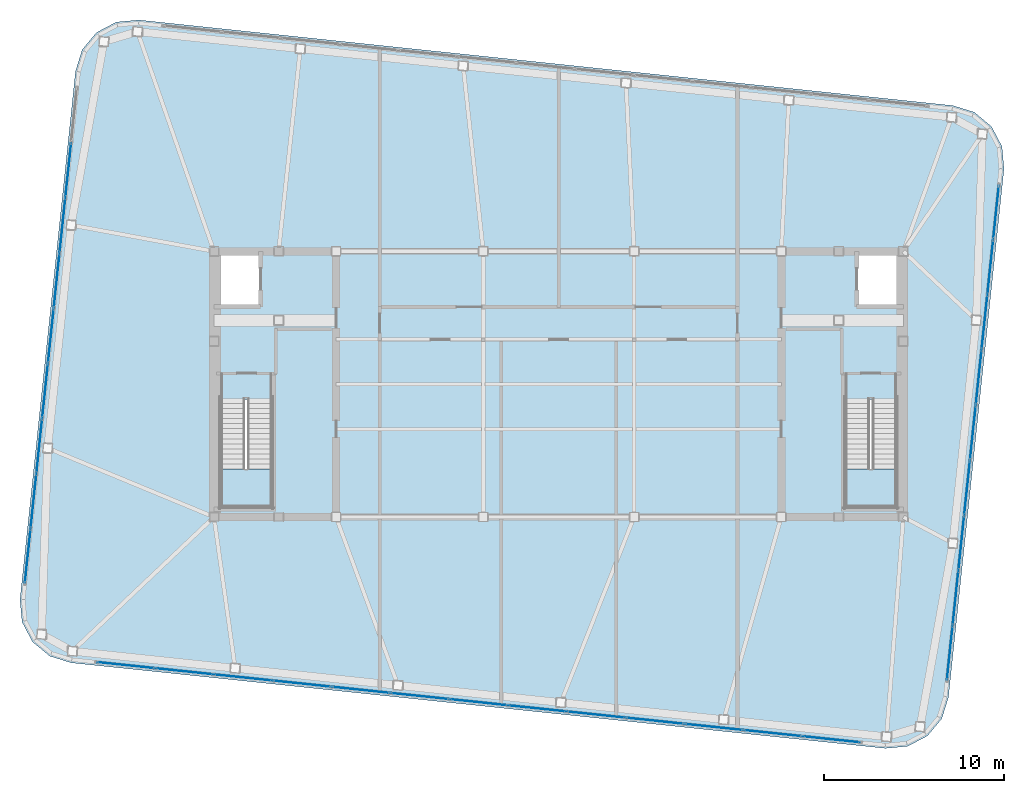
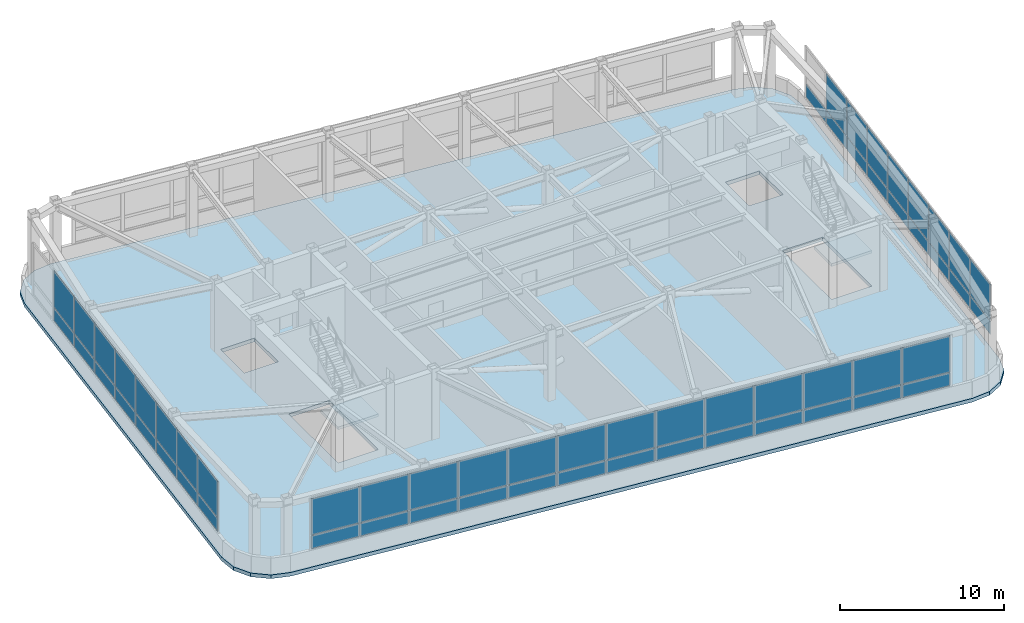
# One storey, part 18 of 23: 59 plates, 3 slabs, 5 elements without a shape of their own.
"""IFC4 building model written with IfcOpenShell, lengths in metres."""

from ifc_helpers import new_model, si_unit, direction, frame, origin, origin_2d, place, context, subcontext, project, spatial, polyline, rectangle, outline, extrude, material, layer, layer_set, type_object, element, aggregate, save


model = new_model("IFC4")

# Units and contexts
model_context = context("Model", 3, precision=1e-05, world=origin(), true_north=direction((0.0, 1.0)))
body_context = subcontext(model_context, "Body", "Model", "MODEL_VIEW")
ifc_project = project(units=[si_unit("LENGTHUNIT", "METRE"), si_unit("AREAUNIT", "SQUARE_METRE"), si_unit("VOLUMEUNIT", "CUBIC_METRE"), si_unit("PLANEANGLEUNIT", "RADIAN"), si_unit("MASSUNIT", "GRAM", prefix="KILO")], contexts=[model_context])

# Site, building, storey
site_placement = place(None, origin())
site = spatial("IfcSite", under=ifc_project, at=site_placement, CompositionType="ELEMENT")
building_placement = place(site_placement, origin())
building = spatial("IfcBuilding", under=site, at=building_placement, Name="Voryun Gate Residences", CompositionType="ELEMENT")
storey_placement = place(building_placement, frame((0.0, 0.0, 331.89990234375)))
storey = spatial("IfcBuildingStorey", under=building, at=storey_placement, Name="L81", CompositionType="ELEMENT", Elevation=331.89990234375)

# Curtain wall, plates
ifc_material_1 = material(Name="Anodised aluminium", Category="aluminium")
ifc_layer_1 = layer(ifc_material_1, 0.22998046875, Name="CW_SYS_LANTERN_DARK_GLASS")
ifc_layer_set_1 = layer_set([ifc_layer_1], Name="Anodised aluminium")
curtain_wall_type = type_object("IfcCurtainWallType", Name="CW_SYS_LANTERN_DARK_GLASS", PredefinedType="NOTDEFINED", material=ifc_layer_set_1)
curtain_wall_1_placement = place(storey_placement, origin())
curtain_wall_1 = element("IfcCurtainWall", 1, at=curtain_wall_1_placement, inside=storey, type_object=curtain_wall_type, Name="Curtain wall CW6-L81-01", PredefinedType="NOTDEFINED")
ifc_material_2 = material(Name="Fritted lantern glass", Category="glass")
ifc_layer_2 = layer(ifc_material_2, 0.050048828125, Name="PLT_GLASS_FRIT_LANTERN")
ifc_layer_set_2 = layer_set([ifc_layer_2], Name="Fritted lantern glass")
plate_type = type_object("IfcPlateType", Name="PLT_GLASS_FRIT_LANTERN", PredefinedType="CURTAIN_PANEL", material=ifc_layer_set_2)
plate_1_placement = place(storey_placement, frame((15.18212890625, -19.787109375, 1.25), z_axis=(0.0, 0.0, 1.0), x_axis=(-0.994521969434, 0.10452775858, 0.0)))
plate_1 = element("IfcPlate", 2, at=plate_1_placement, type_object=plate_type, Name="CW6 panel 1.1", PredefinedType="CURTAIN_PANEL", context=body_context, shape_type="SweptSolid", body=[
    extrude(rectangle(XDim=3.20458984375, YDim=0.028076171875, at=origin_2d()), origin(), (0.0, 0.0, 1.0), 0.9599609375),
])
plate_2_placement = place(storey_placement, frame((15.18212890625, -19.787109375, 2.27001953125), z_axis=(0.0, 0.0, 1.0), x_axis=(-0.994521969434, 0.10452775858, 0.0)))
plate_2 = element("IfcPlate", 3, at=plate_2_placement, type_object=plate_type, Name="CW6 panel 1.2", PredefinedType="CURTAIN_PANEL", context=body_context, shape_type="SweptSolid", body=[
    extrude(rectangle(XDim=3.20458984375, YDim=0.028076171875, at=origin_2d()), origin(), (0.0, 0.0, 1.0), 2.695068359375),
])
plate_3_placement = place(storey_placement, frame((11.92041015625, -19.4443359375, 1.25), z_axis=(0.0, 0.0, 1.0), x_axis=(-0.994521969434, 0.10452775858, 0.0)))
plate_3 = element("IfcPlate", 4, at=plate_3_placement, type_object=plate_type, Name="CW6 panel 2.1", PredefinedType="CURTAIN_PANEL", context=body_context, shape_type="SweptSolid", body=[
    extrude(rectangle(XDim=3.234619140625, YDim=0.028076171875, at=origin_2d()), origin(), (0.0, 0.0, 1.0), 0.9599609375),
])
plate_4_placement = place(storey_placement, frame((11.92041015625, -19.4443359375, 2.27001953125), z_axis=(0.0, 0.0, 1.0), x_axis=(-0.994521969434, 0.10452775858, 0.0)))
plate_4 = element("IfcPlate", 5, at=plate_4_placement, type_object=plate_type, Name="CW6 panel 2.2", PredefinedType="CURTAIN_PANEL", context=body_context, shape_type="SweptSolid", body=[
    extrude(rectangle(XDim=3.234619140625, YDim=0.028076171875, at=origin_2d()), origin(), (0.0, 0.0, 1.0), 2.695068359375),
])
plate_5_placement = place(storey_placement, frame((8.643798828125, -19.099853515625, 1.25), z_axis=(0.0, 0.0, 1.0), x_axis=(-0.994521969434, 0.10452775858, 0.0)))
plate_5 = element("IfcPlate", 6, at=plate_5_placement, type_object=plate_type, Name="CW6 panel 3.1", PredefinedType="CURTAIN_PANEL", context=body_context, shape_type="SweptSolid", body=[
    extrude(rectangle(XDim=3.234619140625, YDim=0.028076171875, at=origin_2d()), origin(), (0.0, 0.0, 1.0), 0.9599609375),
])
plate_6_placement = place(storey_placement, frame((8.643798828125, -19.099853515625, 2.27001953125), z_axis=(0.0, 0.0, 1.0), x_axis=(-0.994521969434, 0.10452775858, 0.0)))
plate_6 = element("IfcPlate", 7, at=plate_6_placement, type_object=plate_type, Name="CW6 panel 3.2", PredefinedType="CURTAIN_PANEL", context=body_context, shape_type="SweptSolid", body=[
    extrude(rectangle(XDim=3.234619140625, YDim=0.028076171875, at=origin_2d()), origin(), (0.0, 0.0, 1.0), 2.695068359375),
])
plate_7_placement = place(storey_placement, frame((5.3671875, -18.755615234375, 1.25), z_axis=(0.0, 0.0, 1.0), x_axis=(-0.994521969434, 0.10452775858, 0.0)))
plate_7 = element("IfcPlate", 8, at=plate_7_placement, type_object=plate_type, Name="CW6 panel 4.1", PredefinedType="CURTAIN_PANEL", context=body_context, shape_type="SweptSolid", body=[
    extrude(rectangle(XDim=3.234619140625, YDim=0.028076171875, at=origin_2d()), origin(), (0.0, 0.0, 1.0), 0.9599609375),
])
plate_8_placement = place(storey_placement, frame((5.3671875, -18.755615234375, 2.27001953125), z_axis=(0.0, 0.0, 1.0), x_axis=(-0.994521969434, 0.10452775858, 0.0)))
plate_8 = element("IfcPlate", 9, at=plate_8_placement, type_object=plate_type, Name="CW6 panel 4.2", PredefinedType="CURTAIN_PANEL", context=body_context, shape_type="SweptSolid", body=[
    extrude(rectangle(XDim=3.234619140625, YDim=0.028076171875, at=origin_2d()), origin(), (0.0, 0.0, 1.0), 2.695068359375),
])
plate_9_placement = place(storey_placement, frame((2.090576171875, -18.4111328125, 1.25), z_axis=(0.0, 0.0, 1.0), x_axis=(-0.994521969434, 0.10452775858, 0.0)))
plate_9 = element("IfcPlate", 10, at=plate_9_placement, type_object=plate_type, Name="CW6 panel 5.1", PredefinedType="CURTAIN_PANEL", context=body_context, shape_type="SweptSolid", body=[
    extrude(rectangle(XDim=3.234619140625, YDim=0.028076171875, at=origin_2d()), origin(), (0.0, 0.0, 1.0), 0.9599609375),
])
plate_10_placement = place(storey_placement, frame((2.090576171875, -18.4111328125, 2.27001953125), z_axis=(0.0, 0.0, 1.0), x_axis=(-0.994521969434, 0.10452775858, 0.0)))
plate_10 = element("IfcPlate", 11, at=plate_10_placement, type_object=plate_type, Name="CW6 panel 5.2", PredefinedType="CURTAIN_PANEL", context=body_context, shape_type="SweptSolid", body=[
    extrude(rectangle(XDim=3.234619140625, YDim=0.028076171875, at=origin_2d()), origin(), (0.0, 0.0, 1.0), 2.695068359375),
])
plate_11_placement = place(storey_placement, frame((-1.18603515625, -18.06689453125, 1.25), z_axis=(0.0, 0.0, 1.0), x_axis=(-0.994521969434, 0.10452775858, 0.0)))
plate_11 = element("IfcPlate", 12, at=plate_11_placement, type_object=plate_type, Name="CW6 panel 6.1", PredefinedType="CURTAIN_PANEL", context=body_context, shape_type="SweptSolid", body=[
    extrude(rectangle(XDim=3.234619140625, YDim=0.028076171875, at=origin_2d()), origin(), (0.0, 0.0, 1.0), 0.9599609375),
])
plate_12_placement = place(storey_placement, frame((-1.18603515625, -18.06689453125, 2.27001953125), z_axis=(0.0, 0.0, 1.0), x_axis=(-0.994521969434, 0.10452775858, 0.0)))
plate_12 = element("IfcPlate", 13, at=plate_12_placement, type_object=plate_type, Name="CW6 panel 6.2", PredefinedType="CURTAIN_PANEL", context=body_context, shape_type="SweptSolid", body=[
    extrude(rectangle(XDim=3.234619140625, YDim=0.028076171875, at=origin_2d()), origin(), (0.0, 0.0, 1.0), 2.695068359375),
])
plate_13_placement = place(storey_placement, frame((-4.462646484375, -17.722412109375, 1.25), z_axis=(0.0, 0.0, 1.0), x_axis=(-0.994521969434, 0.10452775858, 0.0)))
plate_13 = element("IfcPlate", 14, at=plate_13_placement, type_object=plate_type, Name="CW6 panel 7.1", PredefinedType="CURTAIN_PANEL", context=body_context, shape_type="SweptSolid", body=[
    extrude(rectangle(XDim=3.234619140625, YDim=0.028076171875, at=origin_2d()), origin(), (0.0, 0.0, 1.0), 0.9599609375),
])
plate_14_placement = place(storey_placement, frame((-4.462646484375, -17.722412109375, 2.27001953125), z_axis=(0.0, 0.0, 1.0), x_axis=(-0.994521969434, 0.10452775858, 0.0)))
plate_14 = element("IfcPlate", 15, at=plate_14_placement, type_object=plate_type, Name="CW6 panel 7.2", PredefinedType="CURTAIN_PANEL", context=body_context, shape_type="SweptSolid", body=[
    extrude(rectangle(XDim=3.234619140625, YDim=0.028076171875, at=origin_2d()), origin(), (0.0, 0.0, 1.0), 2.695068359375),
])
plate_15_placement = place(storey_placement, frame((-7.7392578125, -17.3779296875, 1.25), z_axis=(0.0, 0.0, 1.0), x_axis=(-0.994521969434, 0.10452775858, 0.0)))
plate_15 = element("IfcPlate", 16, at=plate_15_placement, type_object=plate_type, Name="CW6 panel 8.1", PredefinedType="CURTAIN_PANEL", context=body_context, shape_type="SweptSolid", body=[
    extrude(rectangle(XDim=3.234619140625, YDim=0.028076171875, at=origin_2d()), origin(), (0.0, 0.0, 1.0), 0.9599609375),
])
plate_16_placement = place(storey_placement, frame((-7.7392578125, -17.3779296875, 2.27001953125), z_axis=(0.0, 0.0, 1.0), x_axis=(-0.994521969434, 0.10452775858, 0.0)))
plate_16 = element("IfcPlate", 17, at=plate_16_placement, type_object=plate_type, Name="CW6 panel 8.2", PredefinedType="CURTAIN_PANEL", context=body_context, shape_type="SweptSolid", body=[
    extrude(rectangle(XDim=3.234619140625, YDim=0.028076171875, at=origin_2d()), origin(), (0.0, 0.0, 1.0), 2.695068359375),
])
plate_17_placement = place(storey_placement, frame((-11.015869140625, -17.03369140625, 1.25), z_axis=(0.0, 0.0, 1.0), x_axis=(-0.994521969434, 0.10452775858, 0.0)))
plate_17 = element("IfcPlate", 18, at=plate_17_placement, type_object=plate_type, Name="CW6 panel 9.1", PredefinedType="CURTAIN_PANEL", context=body_context, shape_type="SweptSolid", body=[
    extrude(rectangle(XDim=3.234619140625, YDim=0.028076171875, at=origin_2d()), origin(), (0.0, 0.0, 1.0), 0.9599609375),
])
plate_18_placement = place(storey_placement, frame((-11.015869140625, -17.03369140625, 2.27001953125), z_axis=(0.0, 0.0, 1.0), x_axis=(-0.994521969434, 0.10452775858, 0.0)))
plate_18 = element("IfcPlate", 19, at=plate_18_placement, type_object=plate_type, Name="CW6 panel 9.2", PredefinedType="CURTAIN_PANEL", context=body_context, shape_type="SweptSolid", body=[
    extrude(rectangle(XDim=3.234619140625, YDim=0.028076171875, at=origin_2d()), origin(), (0.0, 0.0, 1.0), 2.695068359375),
])
plate_19_placement = place(storey_placement, frame((-14.29248046875, -16.689208984375, 1.25), z_axis=(0.0, 0.0, 1.0), x_axis=(-0.994521969434, 0.10452775858, 0.0)))
plate_19 = element("IfcPlate", 20, at=plate_19_placement, type_object=plate_type, Name="CW6 panel 10.1", PredefinedType="CURTAIN_PANEL", context=body_context, shape_type="SweptSolid", body=[
    extrude(rectangle(XDim=3.234619140625, YDim=0.028076171875, at=origin_2d()), origin(), (0.0, 0.0, 1.0), 0.9599609375),
])
plate_20_placement = place(storey_placement, frame((-14.29248046875, -16.689208984375, 2.27001953125), z_axis=(0.0, 0.0, 1.0), x_axis=(-0.994521969434, 0.10452775858, 0.0)))
plate_20 = element("IfcPlate", 21, at=plate_20_placement, type_object=plate_type, Name="CW6 panel 10.2", PredefinedType="CURTAIN_PANEL", context=body_context, shape_type="SweptSolid", body=[
    extrude(rectangle(XDim=3.234619140625, YDim=0.028076171875, at=origin_2d()), origin(), (0.0, 0.0, 1.0), 2.695068359375),
])
plate_21_placement = place(storey_placement, frame((-17.569091796875, -16.344970703125, 1.25), z_axis=(0.0, 0.0, 1.0), x_axis=(-0.994521969434, 0.10452775858, 0.0)))
plate_21 = element("IfcPlate", 22, at=plate_21_placement, type_object=plate_type, Name="CW6 panel 11.1", PredefinedType="CURTAIN_PANEL", context=body_context, shape_type="SweptSolid", body=[
    extrude(rectangle(XDim=3.234619140625, YDim=0.028076171875, at=origin_2d()), origin(), (0.0, 0.0, 1.0), 0.9599609375),
])
plate_22_placement = place(storey_placement, frame((-17.569091796875, -16.344970703125, 2.27001953125), z_axis=(0.0, 0.0, 1.0), x_axis=(-0.994521969434, 0.10452775858, 0.0)))
plate_22 = element("IfcPlate", 23, at=plate_22_placement, type_object=plate_type, Name="CW6 panel 11.2", PredefinedType="CURTAIN_PANEL", context=body_context, shape_type="SweptSolid", body=[
    extrude(rectangle(XDim=3.234619140625, YDim=0.028076171875, at=origin_2d()), origin(), (0.0, 0.0, 1.0), 2.695068359375),
])
plate_23_placement = place(storey_placement, frame((-20.845703125, -16.00048828125, 1.25), z_axis=(0.0, 0.0, 1.0), x_axis=(-0.994521969434, 0.10452775858, 0.0)))
plate_23 = element("IfcPlate", 24, at=plate_23_placement, type_object=plate_type, Name="CW6 panel 12.1", PredefinedType="CURTAIN_PANEL", context=body_context, shape_type="SweptSolid", body=[
    extrude(rectangle(XDim=3.234619140625, YDim=0.028076171875, at=origin_2d()), origin(), (0.0, 0.0, 1.0), 0.9599609375),
])
plate_24_placement = place(storey_placement, frame((-20.845703125, -16.00048828125, 2.27001953125), z_axis=(0.0, 0.0, 1.0), x_axis=(-0.994521969434, 0.10452775858, 0.0)))
plate_24 = element("IfcPlate", 25, at=plate_24_placement, type_object=plate_type, Name="CW6 panel 12.2", PredefinedType="CURTAIN_PANEL", context=body_context, shape_type="SweptSolid", body=[
    extrude(rectangle(XDim=3.234619140625, YDim=0.028076171875, at=origin_2d()), origin(), (0.0, 0.0, 1.0), 2.695068359375),
])
plate_25_placement = place(storey_placement, frame((-24.107421875, -15.65771484375, 1.25), z_axis=(0.0, 0.0, 1.0), x_axis=(-0.994521969434, 0.10452775858, 0.0)))
plate_25 = element("IfcPlate", 26, at=plate_25_placement, type_object=plate_type, Name="CW6 panel 13.1", PredefinedType="CURTAIN_PANEL", context=body_context, shape_type="SweptSolid", body=[
    extrude(rectangle(XDim=3.20458984375, YDim=0.028076171875, at=origin_2d()), origin(), (0.0, 0.0, 1.0), 0.9599609375),
])
plate_26_placement = place(storey_placement, frame((-24.107421875, -15.65771484375, 2.27001953125), z_axis=(0.0, 0.0, 1.0), x_axis=(-0.994521969434, 0.10452775858, 0.0)))
plate_26 = element("IfcPlate", 27, at=plate_26_placement, type_object=plate_type, Name="CW6 panel 13.2", PredefinedType="CURTAIN_PANEL", context=body_context, shape_type="SweptSolid", body=[
    extrude(rectangle(XDim=3.20458984375, YDim=0.028076171875, at=origin_2d()), origin(), (0.0, 0.0, 1.0), 2.695068359375),
])
aggregate(curtain_wall_1, [plate_1, plate_2, plate_3, plate_4, plate_5, plate_6, plate_7, plate_8, plate_9, plate_10, plate_11, plate_12, plate_13, plate_14, plate_15, plate_16, plate_17, plate_18, plate_19, plate_20, plate_21, plate_22, plate_23, plate_24, plate_25, plate_26])

curtain_wall_2_placement = place(storey_placement, origin())
curtain_wall_2 = element("IfcCurtainWall", 28, at=curtain_wall_2_placement, inside=storey, type_object=curtain_wall_type, Name="Curtain wall CW6-L81-06", PredefinedType="NOTDEFINED")
plate_27_placement = place(storey_placement, frame((-29.568115234375, -9.56982421875, 1.25), z_axis=(0.0, 0.0, 1.0), x_axis=(0.104528004296, 0.994521943608, 0.0)))
plate_27 = element("IfcPlate", 29, at=plate_27_placement, type_object=plate_type, Name="CW6 panel 1.1", PredefinedType="CURTAIN_PANEL", context=body_context, shape_type="SweptSolid", body=[
    extrude(rectangle(XDim=2.997802734375, YDim=0.028076171875, at=origin_2d()), origin(), (0.0, 0.0, 1.0), 0.9599609375),
])
plate_28_placement = place(storey_placement, frame((-29.568115234375, -9.56982421875, 2.27001953125), z_axis=(0.0, 0.0, 1.0), x_axis=(0.104528004296, 0.994521943608, 0.0)))
plate_28 = element("IfcPlate", 30, at=plate_28_placement, type_object=plate_type, Name="CW6 panel 1.2", PredefinedType="CURTAIN_PANEL", context=body_context, shape_type="SweptSolid", body=[
    extrude(rectangle(XDim=2.997802734375, YDim=0.028076171875, at=origin_2d()), origin(), (0.0, 0.0, 1.0), 2.695068359375),
])
plate_29_placement = place(storey_placement, frame((-29.246826171875, -6.513916015625, 1.25), z_axis=(0.0, 0.0, 1.0), x_axis=(0.104528004296, 0.994521943608, 0.0)))
plate_29 = element("IfcPlate", 31, at=plate_29_placement, type_object=plate_type, Name="CW6 panel 2.1", PredefinedType="CURTAIN_PANEL", context=body_context, shape_type="SweptSolid", body=[
    extrude(rectangle(XDim=3.02783203125, YDim=0.028076171875, at=origin_2d()), origin(), (0.0, 0.0, 1.0), 0.9599609375),
])
plate_30_placement = place(storey_placement, frame((-29.246826171875, -6.513916015625, 2.27001953125), z_axis=(0.0, 0.0, 1.0), x_axis=(0.104528004296, 0.994521943608, 0.0)))
plate_30 = element("IfcPlate", 32, at=plate_30_placement, type_object=plate_type, Name="CW6 panel 2.2", PredefinedType="CURTAIN_PANEL", context=body_context, shape_type="SweptSolid", body=[
    extrude(rectangle(XDim=3.02783203125, YDim=0.028076171875, at=origin_2d()), origin(), (0.0, 0.0, 1.0), 2.695068359375),
])
plate_31_placement = place(storey_placement, frame((-28.924072265625, -3.44287109375, 1.25), z_axis=(0.0, 0.0, 1.0), x_axis=(0.104528004296, 0.994521943608, 0.0)))
plate_31 = element("IfcPlate", 33, at=plate_31_placement, type_object=plate_type, Name="CW6 panel 3.1", PredefinedType="CURTAIN_PANEL", context=body_context, shape_type="SweptSolid", body=[
    extrude(rectangle(XDim=3.02783203125, YDim=0.028076171875, at=origin_2d()), origin(), (0.0, 0.0, 1.0), 0.9599609375),
])
plate_32_placement = place(storey_placement, frame((-28.924072265625, -3.44287109375, 2.27001953125), z_axis=(0.0, 0.0, 1.0), x_axis=(0.104528004296, 0.994521943608, 0.0)))
plate_32 = element("IfcPlate", 34, at=plate_32_placement, type_object=plate_type, Name="CW6 panel 3.2", PredefinedType="CURTAIN_PANEL", context=body_context, shape_type="SweptSolid", body=[
    extrude(rectangle(XDim=3.02783203125, YDim=0.028076171875, at=origin_2d()), origin(), (0.0, 0.0, 1.0), 2.695068359375),
])
plate_33_placement = place(storey_placement, frame((-28.601318359375, -0.3720703125, 1.25), z_axis=(0.0, 0.0, 1.0), x_axis=(0.104528004296, 0.994521943608, 0.0)))
plate_33 = element("IfcPlate", 35, at=plate_33_placement, type_object=plate_type, Name="CW6 panel 4.1", PredefinedType="CURTAIN_PANEL", context=body_context, shape_type="SweptSolid", body=[
    extrude(rectangle(XDim=3.02783203125, YDim=0.028076171875, at=origin_2d()), origin(), (0.0, 0.0, 1.0), 0.9599609375),
])
plate_34_placement = place(storey_placement, frame((-28.601318359375, -0.3720703125, 2.27001953125), z_axis=(0.0, 0.0, 1.0), x_axis=(0.104528004296, 0.994521943608, 0.0)))
plate_34 = element("IfcPlate", 36, at=plate_34_placement, type_object=plate_type, Name="CW6 panel 4.2", PredefinedType="CURTAIN_PANEL", context=body_context, shape_type="SweptSolid", body=[
    extrude(rectangle(XDim=3.02783203125, YDim=0.028076171875, at=origin_2d()), origin(), (0.0, 0.0, 1.0), 2.695068359375),
])
plate_35_placement = place(storey_placement, frame((-28.278564453125, 2.698974609375, 1.25), z_axis=(0.0, 0.0, 1.0), x_axis=(0.104528004296, 0.994521943608, 0.0)))
plate_35 = element("IfcPlate", 37, at=plate_35_placement, type_object=plate_type, Name="CW6 panel 5.1", PredefinedType="CURTAIN_PANEL", context=body_context, shape_type="SweptSolid", body=[
    extrude(rectangle(XDim=3.02783203125, YDim=0.028076171875, at=origin_2d()), origin(), (0.0, 0.0, 1.0), 0.9599609375),
])
plate_36_placement = place(storey_placement, frame((-28.278564453125, 2.698974609375, 2.27001953125), z_axis=(0.0, 0.0, 1.0), x_axis=(0.104528004296, 0.994521943608, 0.0)))
plate_36 = element("IfcPlate", 38, at=plate_36_placement, type_object=plate_type, Name="CW6 panel 5.2", PredefinedType="CURTAIN_PANEL", context=body_context, shape_type="SweptSolid", body=[
    extrude(rectangle(XDim=3.02783203125, YDim=0.028076171875, at=origin_2d()), origin(), (0.0, 0.0, 1.0), 2.695068359375),
])
plate_37_placement = place(storey_placement, frame((-27.955810546875, 5.769775390625, 1.25), z_axis=(0.0, 0.0, 1.0), x_axis=(0.104528004296, 0.994521943608, 0.0)))
plate_37 = element("IfcPlate", 39, at=plate_37_placement, type_object=plate_type, Name="CW6 panel 6.1", PredefinedType="CURTAIN_PANEL", context=body_context, shape_type="SweptSolid", body=[
    extrude(rectangle(XDim=3.02783203125, YDim=0.028076171875, at=origin_2d()), origin(), (0.0, 0.0, 1.0), 0.9599609375),
])
plate_38_placement = place(storey_placement, frame((-27.955810546875, 5.769775390625, 2.27001953125), z_axis=(0.0, 0.0, 1.0), x_axis=(0.104528004296, 0.994521943608, 0.0)))
plate_38 = element("IfcPlate", 40, at=plate_38_placement, type_object=plate_type, Name="CW6 panel 6.2", PredefinedType="CURTAIN_PANEL", context=body_context, shape_type="SweptSolid", body=[
    extrude(rectangle(XDim=3.02783203125, YDim=0.028076171875, at=origin_2d()), origin(), (0.0, 0.0, 1.0), 2.695068359375),
])
plate_39_placement = place(storey_placement, frame((-27.633056640625, 8.8408203125, 1.25), z_axis=(0.0, 0.0, 1.0), x_axis=(0.104528004296, 0.994521943608, 0.0)))
plate_39 = element("IfcPlate", 41, at=plate_39_placement, type_object=plate_type, Name="CW6 panel 7.1", PredefinedType="CURTAIN_PANEL", context=body_context, shape_type="SweptSolid", body=[
    extrude(rectangle(XDim=3.02783203125, YDim=0.028076171875, at=origin_2d()), origin(), (0.0, 0.0, 1.0), 0.9599609375),
])
plate_40_placement = place(storey_placement, frame((-27.633056640625, 8.8408203125, 2.27001953125), z_axis=(0.0, 0.0, 1.0), x_axis=(0.104528004296, 0.994521943608, 0.0)))
plate_40 = element("IfcPlate", 42, at=plate_40_placement, type_object=plate_type, Name="CW6 panel 7.2", PredefinedType="CURTAIN_PANEL", context=body_context, shape_type="SweptSolid", body=[
    extrude(rectangle(XDim=3.02783203125, YDim=0.028076171875, at=origin_2d()), origin(), (0.0, 0.0, 1.0), 2.695068359375),
])
plate_41_placement = place(storey_placement, frame((-27.310302734375, 11.91162109375, 1.25), z_axis=(0.0, 0.0, 1.0), x_axis=(0.104528004296, 0.994521943608, 0.0)))
plate_41 = element("IfcPlate", 43, at=plate_41_placement, type_object=plate_type, Name="CW6 panel 8.1", PredefinedType="CURTAIN_PANEL", context=body_context, shape_type="SweptSolid", body=[
    extrude(rectangle(XDim=3.02783203125, YDim=0.028076171875, at=origin_2d()), origin(), (0.0, 0.0, 1.0), 0.9599609375),
])
plate_42_placement = place(storey_placement, frame((-27.310302734375, 11.91162109375, 2.27001953125), z_axis=(0.0, 0.0, 1.0), x_axis=(0.104528004296, 0.994521943608, 0.0)))
plate_42 = element("IfcPlate", 44, at=plate_42_placement, type_object=plate_type, Name="CW6 panel 8.2", PredefinedType="CURTAIN_PANEL", context=body_context, shape_type="SweptSolid", body=[
    extrude(rectangle(XDim=3.02783203125, YDim=0.028076171875, at=origin_2d()), origin(), (0.0, 0.0, 1.0), 2.695068359375),
])
aggregate(curtain_wall_2, [plate_27, plate_28, plate_29, plate_30, plate_31, plate_32, plate_33, plate_34, plate_35, plate_36, plate_37, plate_38, plate_39, plate_40, plate_41, plate_42])

curtain_wall_3_placement = place(storey_placement, origin())
curtain_wall_3 = element("IfcCurtainWall", 45, at=curtain_wall_3_placement, inside=storey, type_object=curtain_wall_type, Name="Curtain wall CW6-L81-16", PredefinedType="NOTDEFINED")
plate_43_placement = place(storey_placement, frame((24.3681640625, 9.56982421875, 1.25), z_axis=(0.0, 0.0, 1.0), x_axis=(-0.104528004296, -0.994521943608, 0.0)))
plate_43 = element("IfcPlate", 46, at=plate_43_placement, type_object=plate_type, Name="CW6 panel 1.1", PredefinedType="CURTAIN_PANEL", context=body_context, shape_type="SweptSolid", body=[
    extrude(rectangle(XDim=2.997802734375, YDim=0.028076171875, at=origin_2d()), origin(), (0.0, 0.0, 1.0), 0.9599609375),
])
plate_44_placement = place(storey_placement, frame((24.046875, 6.513916015625, 1.25), z_axis=(0.0, 0.0, 1.0), x_axis=(-0.104528004296, -0.994521943608, 0.0)))
plate_44 = element("IfcPlate", 47, at=plate_44_placement, type_object=plate_type, Name="CW6 panel 2.1", PredefinedType="CURTAIN_PANEL", context=body_context, shape_type="SweptSolid", body=[
    extrude(rectangle(XDim=3.02783203125, YDim=0.028076171875, at=origin_2d()), origin(), (0.0, 0.0, 1.0), 0.9599609375),
])
plate_45_placement = place(storey_placement, frame((24.046875, 6.513916015625, 2.27001953125), z_axis=(0.0, 0.0, 1.0), x_axis=(-0.104528004296, -0.994521943608, 0.0)))
plate_45 = element("IfcPlate", 48, at=plate_45_placement, type_object=plate_type, Name="CW6 panel 2.2", PredefinedType="CURTAIN_PANEL", context=body_context, shape_type="SweptSolid", body=[
    extrude(rectangle(XDim=3.02783203125, YDim=0.028076171875, at=origin_2d()), origin(), (0.0, 0.0, 1.0), 2.695068359375),
])
plate_46_placement = place(storey_placement, frame((23.72412109375, 3.44287109375, 1.25), z_axis=(0.0, 0.0, 1.0), x_axis=(-0.104528004296, -0.994521943608, 0.0)))
plate_46 = element("IfcPlate", 49, at=plate_46_placement, type_object=plate_type, Name="CW6 panel 3.1", PredefinedType="CURTAIN_PANEL", context=body_context, shape_type="SweptSolid", body=[
    extrude(rectangle(XDim=3.02783203125, YDim=0.028076171875, at=origin_2d()), origin(), (0.0, 0.0, 1.0), 0.9599609375),
])
plate_47_placement = place(storey_placement, frame((23.72412109375, 3.44287109375, 2.27001953125), z_axis=(0.0, 0.0, 1.0), x_axis=(-0.104528004296, -0.994521943608, 0.0)))
plate_47 = element("IfcPlate", 50, at=plate_47_placement, type_object=plate_type, Name="CW6 panel 3.2", PredefinedType="CURTAIN_PANEL", context=body_context, shape_type="SweptSolid", body=[
    extrude(rectangle(XDim=3.02783203125, YDim=0.028076171875, at=origin_2d()), origin(), (0.0, 0.0, 1.0), 2.695068359375),
])
plate_48_placement = place(storey_placement, frame((23.4013671875, 0.3720703125, 1.25), z_axis=(0.0, 0.0, 1.0), x_axis=(-0.104528004296, -0.994521943608, 0.0)))
plate_48 = element("IfcPlate", 51, at=plate_48_placement, type_object=plate_type, Name="CW6 panel 4.1", PredefinedType="CURTAIN_PANEL", context=body_context, shape_type="SweptSolid", body=[
    extrude(rectangle(XDim=3.02783203125, YDim=0.028076171875, at=origin_2d()), origin(), (0.0, 0.0, 1.0), 0.9599609375),
])
plate_49_placement = place(storey_placement, frame((23.4013671875, 0.3720703125, 2.27001953125), z_axis=(0.0, 0.0, 1.0), x_axis=(-0.104528004296, -0.994521943608, 0.0)))
plate_49 = element("IfcPlate", 52, at=plate_49_placement, type_object=plate_type, Name="CW6 panel 4.2", PredefinedType="CURTAIN_PANEL", context=body_context, shape_type="SweptSolid", body=[
    extrude(rectangle(XDim=3.02783203125, YDim=0.028076171875, at=origin_2d()), origin(), (0.0, 0.0, 1.0), 2.695068359375),
])
plate_50_placement = place(storey_placement, frame((23.07861328125, -2.698974609375, 1.25), z_axis=(0.0, 0.0, 1.0), x_axis=(-0.104528004296, -0.994521943608, 0.0)))
plate_50 = element("IfcPlate", 53, at=plate_50_placement, type_object=plate_type, Name="CW6 panel 5.1", PredefinedType="CURTAIN_PANEL", context=body_context, shape_type="SweptSolid", body=[
    extrude(rectangle(XDim=3.02783203125, YDim=0.028076171875, at=origin_2d()), origin(), (0.0, 0.0, 1.0), 0.9599609375),
])
plate_51_placement = place(storey_placement, frame((23.07861328125, -2.698974609375, 2.27001953125), z_axis=(0.0, 0.0, 1.0), x_axis=(-0.104528004296, -0.994521943608, 0.0)))
plate_51 = element("IfcPlate", 54, at=plate_51_placement, type_object=plate_type, Name="CW6 panel 5.2", PredefinedType="CURTAIN_PANEL", context=body_context, shape_type="SweptSolid", body=[
    extrude(rectangle(XDim=3.02783203125, YDim=0.028076171875, at=origin_2d()), origin(), (0.0, 0.0, 1.0), 2.695068359375),
])
plate_52_placement = place(storey_placement, frame((22.755859375, -5.769775390625, 1.25), z_axis=(0.0, 0.0, 1.0), x_axis=(-0.104528004296, -0.994521943608, 0.0)))
plate_52 = element("IfcPlate", 55, at=plate_52_placement, type_object=plate_type, Name="CW6 panel 6.1", PredefinedType="CURTAIN_PANEL", context=body_context, shape_type="SweptSolid", body=[
    extrude(rectangle(XDim=3.02783203125, YDim=0.028076171875, at=origin_2d()), origin(), (0.0, 0.0, 1.0), 0.9599609375),
])
plate_53_placement = place(storey_placement, frame((22.755859375, -5.769775390625, 2.27001953125), z_axis=(0.0, 0.0, 1.0), x_axis=(-0.104528004296, -0.994521943608, 0.0)))
plate_53 = element("IfcPlate", 56, at=plate_53_placement, type_object=plate_type, Name="CW6 panel 6.2", PredefinedType="CURTAIN_PANEL", context=body_context, shape_type="SweptSolid", body=[
    extrude(rectangle(XDim=3.02783203125, YDim=0.028076171875, at=origin_2d()), origin(), (0.0, 0.0, 1.0), 2.695068359375),
])
plate_54_placement = place(storey_placement, frame((22.43310546875, -8.8408203125, 1.25), z_axis=(0.0, 0.0, 1.0), x_axis=(-0.104528004296, -0.994521943608, 0.0)))
plate_54 = element("IfcPlate", 57, at=plate_54_placement, type_object=plate_type, Name="CW6 panel 7.1", PredefinedType="CURTAIN_PANEL", context=body_context, shape_type="SweptSolid", body=[
    extrude(rectangle(XDim=3.02783203125, YDim=0.028076171875, at=origin_2d()), origin(), (0.0, 0.0, 1.0), 0.9599609375),
])
plate_55_placement = place(storey_placement, frame((22.43310546875, -8.8408203125, 2.27001953125), z_axis=(0.0, 0.0, 1.0), x_axis=(-0.104528004296, -0.994521943608, 0.0)))
plate_55 = element("IfcPlate", 58, at=plate_55_placement, type_object=plate_type, Name="CW6 panel 7.2", PredefinedType="CURTAIN_PANEL", context=body_context, shape_type="SweptSolid", body=[
    extrude(rectangle(XDim=3.02783203125, YDim=0.028076171875, at=origin_2d()), origin(), (0.0, 0.0, 1.0), 2.695068359375),
])
plate_56_placement = place(storey_placement, frame((22.1103515625, -11.91162109375, 1.25), z_axis=(0.0, 0.0, 1.0), x_axis=(-0.104528004296, -0.994521943608, 0.0)))
plate_56 = element("IfcPlate", 59, at=plate_56_placement, type_object=plate_type, Name="CW6 panel 8.1", PredefinedType="CURTAIN_PANEL", context=body_context, shape_type="SweptSolid", body=[
    extrude(rectangle(XDim=3.02783203125, YDim=0.028076171875, at=origin_2d()), origin(), (0.0, 0.0, 1.0), 0.9599609375),
])
plate_57_placement = place(storey_placement, frame((22.1103515625, -11.91162109375, 2.27001953125), z_axis=(0.0, 0.0, 1.0), x_axis=(-0.104528004296, -0.994521943608, 0.0)))
plate_57 = element("IfcPlate", 60, at=plate_57_placement, type_object=plate_type, Name="CW6 panel 8.2", PredefinedType="CURTAIN_PANEL", context=body_context, shape_type="SweptSolid", body=[
    extrude(rectangle(XDim=3.02783203125, YDim=0.028076171875, at=origin_2d()), origin(), (0.0, 0.0, 1.0), 2.695068359375),
])
plate_58_placement = place(storey_placement, frame((21.7890625, -14.9677734375, 1.25), z_axis=(0.0, 0.0, 1.0), x_axis=(-0.104528004296, -0.994521943608, 0.0)))
plate_58 = element("IfcPlate", 61, at=plate_58_placement, type_object=plate_type, Name="CW6 panel 9.1", PredefinedType="CURTAIN_PANEL", context=body_context, shape_type="SweptSolid", body=[
    extrude(rectangle(XDim=2.997802734375, YDim=0.028076171875, at=origin_2d()), origin(), (0.0, 0.0, 1.0), 0.9599609375),
])
plate_59_placement = place(storey_placement, frame((21.7890625, -14.9677734375, 2.27001953125), z_axis=(0.0, 0.0, 1.0), x_axis=(-0.104528004296, -0.994521943608, 0.0)))
plate_59 = element("IfcPlate", 62, at=plate_59_placement, type_object=plate_type, Name="CW6 panel 9.2", PredefinedType="CURTAIN_PANEL", context=body_context, shape_type="SweptSolid", body=[
    extrude(rectangle(XDim=2.997802734375, YDim=0.028076171875, at=origin_2d()), origin(), (0.0, 0.0, 1.0), 2.695068359375),
])
aggregate(curtain_wall_3, [plate_43, plate_44, plate_45, plate_46, plate_47, plate_48, plate_49, plate_50, plate_51, plate_52, plate_53, plate_54, plate_55, plate_56, plate_57, plate_58, plate_59])

# Slab
ifc_material_3 = material(Name="Concrete C50/60", Category="concrete")
ifc_layer_3 = layer(ifc_material_3, 0.27490234375, Name="SLB_CROWN_275")
ifc_layer_set_3 = layer_set([ifc_layer_3], Name="Concrete C50/60")
slab_type_1 = type_object("IfcSlabType", Name="SLB_CROWN_275", PredefinedType="FLOOR", material=ifc_layer_set_3)
slab_1_placement = place(storey_placement, frame((0.0, 0.0, -0.27490234375)))
element("IfcSlab", 63, at=slab_1_placement, inside=storey, type_object=slab_type_1, Name="L81 Structural Floor Slab", PredefinedType="FLOOR", context=body_context, shape_type="SweptSolid", body=[
    extrude(outline(polyline([(-27.156494140625, -15.51806640625), (-28.34912109375, -15.14794921875), (-29.30908203125, -14.349609375), (-29.890380859375, -13.24462890625), (-30.004638671875, -12.001220703125), (-26.91064453125, 17.436767578125), (-26.540283203125, 18.629150390625), (-25.741943359375, 19.589111328125), (-24.636962890625, 20.17041015625), (-23.3935546875, 20.28466796875), (21.95654296875, 15.51806640625), (23.14892578125, 15.14794921875), (24.10888671875, 14.349609375), (24.6904296875, 13.24462890625), (24.8046875, 12.001220703125), (21.71044921875, -17.436767578125), (21.34033203125, -18.629150390625), (20.5419921875, -19.589111328125), (19.43701171875, -20.17041015625), (18.193603515625, -20.28466796875), (-27.156494140625, -15.51806640625)]), holes=[polyline([(-15.97509765625, -0.840087890625), (-18.824951171875, -0.840087890625), (-18.824951171875, -6.85009765625), (-15.97509765625, -6.85009765625), (-15.97509765625, -0.840087890625)]), polyline([(18.824951171875, -0.840087890625), (15.97509765625, -0.840087890625), (15.97509765625, -6.85009765625), (18.824951171875, -6.85009765625), (18.824951171875, -0.840087890625)]), polyline([(-19.0, 7.199951171875), (-19.0, 4.300048828125), (-16.60009765625, 4.300048828125), (-16.60009765625, 7.199951171875), (-19.0, 7.199951171875)]), polyline([(16.60009765625, 7.199951171875), (16.60009765625, 4.300048828125), (19.0, 4.300048828125), (19.0, 7.199951171875), (16.60009765625, 7.199951171875)])]), origin(), (0.0, 0.0, 1.0), 0.27490234375),
])

# Stair, slab
ifc_material_4 = material(Name="Concrete C40/50", Category="concrete")
stair_type = type_object("IfcStairType", Name="STR_CORE_DOGLEG_1350", PredefinedType="HALF_TURN_STAIR", material=ifc_material_4)
stair_1_placement = place(storey_placement, origin())
stair_1 = element("IfcStair", 64, at=stair_1_placement, inside=storey, type_object=stair_type, Name="L81 Special Escape Stair ST-W1", PredefinedType="HALF_TURN_STAIR")
ifc_material_5 = material(Name="Concrete C40/50", Category="concrete")
ifc_layer_4 = layer(ifc_material_5, 0.199951171875, Name="SLB_STAIR_LANDING_200")
ifc_layer_set_4 = layer_set([ifc_layer_4], Name="Concrete C40/50")
slab_type_2 = type_object("IfcSlabType", Name="SLB_STAIR_LANDING_200", PredefinedType="LANDING", material=ifc_layer_set_4)
slab_2_placement = place(storey_placement, frame((0.0, 0.0, 2.4501953125)))
slab_2 = element("IfcSlab", 65, at=slab_2_placement, type_object=slab_type_2, Name="ST-W1 landing 1", PredefinedType="LANDING", context=body_context, shape_type="SweptSolid", body=[
    extrude(outline(polyline([(-18.824951171875, -4.719970703125), (-18.824951171875, -6.85009765625), (-15.97509765625, -6.85009765625), (-15.97509765625, -4.719970703125), (-18.824951171875, -4.719970703125)])), origin(), (0.0, 0.0, 1.0), 0.199951171875),
])
aggregate(stair_1, [slab_2])

stair_2_placement = place(storey_placement, origin())
stair_2 = element("IfcStair", 66, at=stair_2_placement, inside=storey, type_object=stair_type, Name="L81 Special Escape Stair ST-E1", PredefinedType="HALF_TURN_STAIR")
slab_3_placement = place(storey_placement, frame((0.0, 0.0, 2.4501953125)))
slab_3 = element("IfcSlab", 67, at=slab_3_placement, type_object=slab_type_2, Name="ST-E1 landing 1", PredefinedType="LANDING", context=body_context, shape_type="SweptSolid", body=[
    extrude(outline(polyline([(15.97509765625, -4.719970703125), (15.97509765625, -6.85009765625), (18.824951171875, -6.85009765625), (18.824951171875, -4.719970703125), (15.97509765625, -4.719970703125)])), origin(), (0.0, 0.0, 1.0), 0.199951171875),
])
aggregate(stair_2, [slab_3])

save(model, "model.ifc")
